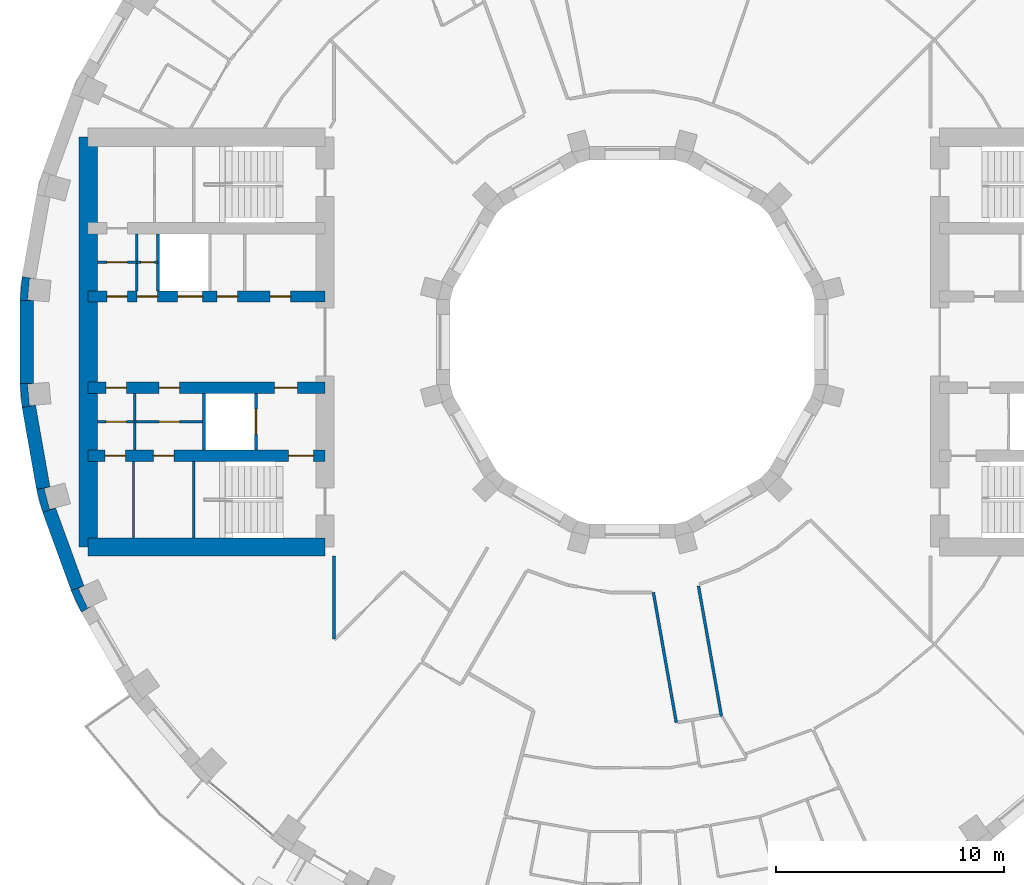
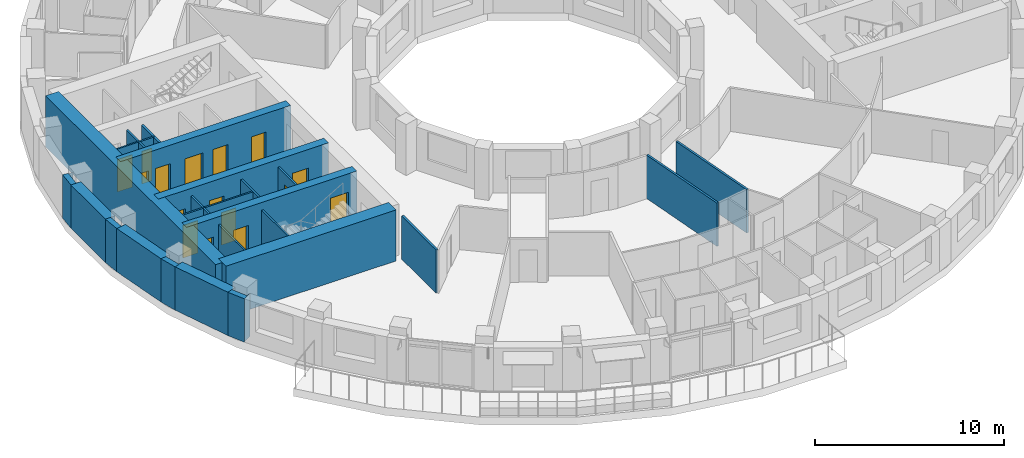
# One storey, part 5 of 14: 26 walls, 16 doors, 16 openings.
"""IFC4 building model written with IfcOpenShell, lengths in metres."""

from ifc_helpers import new_model, si_unit, direction, frame, frame_2d, origin, place, context, subcontext, project, spatial, polyline, rectangle, outline, extrude, material, layer, layer_set, type_object, element, fill, save


model = new_model("IFC4")

# Units and contexts
model_context = context("Model", 3, precision=1e-05, world=origin(), true_north=direction((0.0, 1.0)))
body_context = subcontext(model_context, "Body", "Model", "MODEL_VIEW")
ifc_project = project(units=[si_unit("LENGTHUNIT", "METRE"), si_unit("AREAUNIT", "SQUARE_METRE"), si_unit("VOLUMEUNIT", "CUBIC_METRE"), si_unit("PLANEANGLEUNIT", "RADIAN"), si_unit("MASSUNIT", "GRAM", prefix="KILO")], contexts=[model_context])

# Site, building, storey
site_placement = place(None, origin())
site = spatial("IfcSite", under=ifc_project, at=site_placement, CompositionType="ELEMENT")
building_placement = place(site_placement, origin())
building = spatial("IfcBuilding", under=site, at=building_placement, Name="Saqina Gate Tower", CompositionType="ELEMENT")
storey_placement = place(building_placement, frame((0.0, 0.0, 134.800048828125)))
storey = spatial("IfcBuildingStorey", under=building, at=storey_placement, Name="L38", CompositionType="ELEMENT", Elevation=134.800048828125)

# Walls
ifc_material_1 = material(Name="Brick masonry (buff)", Category="masonry")
wall_type_1 = type_object("IfcWallType", Name="BRICK PIER COPING BUFF", PredefinedType="SOLIDWALL", material=ifc_material_1)
wall_1_placement = place(storey_placement, origin())
element("IfcWall", 1, at=wall_1_placement, inside=storey, type_object=wall_type_1, Name="Pier cap L38 column 18", PredefinedType="SOLIDWALL", context=body_context, shape_type="SweptSolid", body=[
    extrude(outline(polyline([(-26.805419921875, 2.87451171875), (-26.897216796875, 1.823974609375), (-26.29736328125, 1.823974609375), (-26.565185546875, 1.847412109375), (-26.482421875, 2.793701171875), (-26.214599609375, 2.770263671875), (-26.805419921875, 2.87451171875)])), origin(), (0.0, 0.0, 1.0), 2.800048828125),
])
wall_2_placement = place(storey_placement, origin())
element("IfcWall", 2, at=wall_2_placement, inside=storey, type_object=wall_type_1, Name="Pier cap L38 column 19", PredefinedType="SOLIDWALL", context=body_context, shape_type="SweptSolid", body=[
    extrude(outline(polyline([(-26.805419921875, -2.87451171875), (-26.214599609375, -2.770263671875), (-26.482421875, -2.793701171875), (-26.565185546875, -1.847412109375), (-26.29736328125, -1.823974609375), (-26.897216796875, -1.823974609375), (-26.805419921875, -2.87451171875)])), origin(), (0.0, 0.0, 1.0), 2.800048828125),
])
wall_3_placement = place(storey_placement, origin())
element("IfcWall", 3, at=wall_3_placement, inside=storey, type_object=wall_type_1, Name="Pier cap L38 column 20", PredefinedType="SOLIDWALL", context=body_context, shape_type="SweptSolid", body=[
    extrude(outline(polyline([(-26.171875, -6.466796875), (-25.89892578125, -7.485595703125), (-25.335205078125, -7.2802734375), (-25.5947265625, -7.349853515625), (-25.8408203125, -6.43212890625), (-25.5810546875, -6.36279296875), (-26.171875, -6.466796875)])), origin(), (0.0, 0.0, 1.0), 2.800048828125),
])
wall_4_placement = place(storey_placement, origin())
element("IfcWall", 4, at=wall_4_placement, inside=storey, type_object=wall_type_1, Name="Pier cap L38 column 21", PredefinedType="SOLIDWALL", context=body_context, shape_type="SweptSolid", body=[
    extrude(outline(polyline([(-24.6513671875, -10.913330078125), (-24.205810546875, -11.869140625), (-23.68603515625, -11.569091796875), (-23.9296875, -11.6826171875), (-24.331298828125, -10.82177734375), (-24.08740234375, -10.7080078125), (-24.6513671875, -10.913330078125)])), origin(), (0.0, 0.0, 1.0), 2.800048828125),
])
ifc_material_2 = material(Name="Gypsum board on steel studs", Category="steel")
ifc_layer_1 = layer(ifc_material_2, 0.10009765625)
ifc_layer_set_1 = layer_set([ifc_layer_1], Name="CORE PARTITION")
wall_type_2 = type_object("IfcWallType", Name="CORE PARTITION", PredefinedType="PARTITIONING", material=ifc_layer_set_1)
for number, where, z_axis, x_axis, name in (
    (5, (-21.77099609375, 2.25, 0.0), (0.0, 0.0, 1.0), (0.0, 1.0, 0.0), "L38-CP-W04"),
    (6, (-21.8583984375, -4.75, 0.0), (0.0, 0.0, 1.0), (0.0, 1.0, 0.0), "L38-CP-W07"),
):
    element("IfcWall", number, at=place(storey_placement, frame(where, z_axis=z_axis, x_axis=x_axis)), inside=storey, type_object=wall_type_2, Name=name, PredefinedType="PARTITIONING", context=body_context, shape_type="SweptSolid", body=[
        extrude(rectangle(XDim=2.5, YDim=0.10009765625, at=frame_2d((1.25, 0.0))), origin(), (0.0, 0.0, 1.0), 2.800048828125),
    ])

# Wall, opening, door
wall_5_placement = place(storey_placement, frame((-20.840087890625, 3.5, 0.0), z_axis=(0.0, 0.0, 1.0), x_axis=(-1.0, 0.0, 0.0)))
wall_5 = element("IfcWall", 7, at=wall_5_placement, inside=storey, type_object=wall_type_2, Name="L38-CP-W08", PredefinedType="PARTITIONING", context=body_context, shape_type="SweptSolid", body=[
    extrude(rectangle(XDim=0.930908203125, YDim=0.10009765625, at=frame_2d((0.46533203125, 0.0))), origin(), (0.0, 0.0, 1.0), 2.800048828125),
])
opening_1_placement = place(wall_5_placement, frame((0.14990234375, 0.0, 0.0)))
opening_1 = element("IfcOpeningElement", 8, at=opening_1_placement, cuts=wall_5, Name="Opening G11-D116", PredefinedType="OPENING", context=body_context, shape_type="SweptSolid", body=[
    extrude(rectangle(XDim=0.60009765625, YDim=2.10009765625, at=frame_2d((0.300048828125, 1.050048828125))), frame((0.0, 0.06201171875, 0.0), z_axis=(0.0, -1.0, 0.0), x_axis=(1.0, 0.0, 0.0)), (0.0, 0.0, 1.0), 0.1240234375),
])
ifc_material_3 = material(Name="Steel-framed fire door leaf, EI 60", Category="steel")
door_type_1 = type_object("IfcDoorType", Name="SERVICE ROOM DOOR 600", OperationType="SINGLE_SWING_LEFT", PredefinedType="DOOR", material=ifc_material_3)
door_1_placement = place(opening_1_placement, origin())
door_1 = element("IfcDoor", 9, at=door_1_placement, inside=storey, type_object=door_type_1, Name="L38-CD-W27", OperationType="SINGLE_SWING_LEFT", OverallHeight=2.10009765625, OverallWidth=0.60009765625, PredefinedType="DOOR", context=body_context, shape_type="SweptSolid", body=[
    extrude(rectangle(XDim=0.60009765625, YDim=2.10009765625, at=frame_2d((0.300048828125, 1.050048828125))), frame((0.0, 0.02490234375, 0.0), z_axis=(0.0, -1.0, 0.0), x_axis=(1.0, 0.0, 0.0)), (0.0, 0.0, 1.0), 0.050048828125),
])
fill(opening_1, door_1)

wall_6_placement = place(storey_placement, frame((-21.77099609375, 3.5, 0.0), z_axis=(0.0, 0.0, 1.0), x_axis=(-1.0, 0.0, 0.0)))
wall_6 = element("IfcWall", 10, at=wall_6_placement, inside=storey, type_object=wall_type_2, Name="L38-CP-W09", PredefinedType="PARTITIONING", context=body_context, shape_type="SweptSolid", body=[
    extrude(rectangle(XDim=1.72900390625, YDim=0.10009765625, at=frame_2d((0.864501953125, 0.0))), origin(), (0.0, 0.0, 1.0), 2.800048828125),
])
opening_2_placement = place(wall_6_placement, frame((0.41455078125, 0.0, 0.0)))
opening_2 = element("IfcOpeningElement", 11, at=opening_2_placement, cuts=wall_6, Name="Opening G11-D117", PredefinedType="OPENING", context=body_context, shape_type="SweptSolid", body=[
    extrude(rectangle(XDim=0.89990234375, YDim=2.10009765625, at=frame_2d((0.449951171875, 1.050048828125))), frame((0.0, 0.06201171875, 0.0), z_axis=(0.0, -1.0, 0.0), x_axis=(1.0, 0.0, 0.0)), (0.0, 0.0, 1.0), 0.1240234375),
])
ifc_material_4 = material(Name="Steel-framed fire door leaf, EI 60", Category="steel")
door_type_2 = type_object("IfcDoorType", Name="SERVICE ROOM DOOR 900", OperationType="SINGLE_SWING_LEFT", PredefinedType="DOOR", material=ifc_material_4)
door_2_placement = place(opening_2_placement, frame((0.89990234375, 0.0, 0.0), z_axis=(0.0, 0.0, 1.0), x_axis=(-1.0, 0.0, 0.0)))
door_2 = element("IfcDoor", 12, at=door_2_placement, inside=storey, type_object=door_type_2, Name="L38-CD-W28", OperationType="SINGLE_SWING_LEFT", OverallHeight=2.10009765625, OverallWidth=0.89990234375, PredefinedType="DOOR", context=body_context, shape_type="SweptSolid", body=[
    extrude(rectangle(XDim=0.89990234375, YDim=2.10009765625, at=frame_2d((0.449951171875, 1.050048828125))), frame((0.0, 0.02490234375, 0.0), z_axis=(0.0, -1.0, 0.0), x_axis=(1.0, 0.0, 0.0)), (0.0, 0.0, 1.0), 0.050048828125),
])
fill(opening_2, door_2)

wall_7_placement = place(storey_placement, frame((-18.81005859375, -3.5, 0.0), z_axis=(0.0, 0.0, 1.0), x_axis=(-1.0, 0.0, 0.0)))
wall_7 = element("IfcWall", 13, at=wall_7_placement, inside=storey, type_object=wall_type_2, Name="L38-CP-W10", PredefinedType="PARTITIONING", context=body_context, shape_type="SweptSolid", body=[
    extrude(rectangle(XDim=3.04833984375, YDim=0.10009765625, at=frame_2d((1.524169921875, 0.0))), origin(), (0.0, 0.0, 1.0), 2.800048828125),
])
opening_3_placement = place(wall_7_placement, frame((1.07421875, 0.0, 0.0)))
opening_3 = element("IfcOpeningElement", 14, at=opening_3_placement, cuts=wall_7, Name="Opening G11-D121", PredefinedType="OPENING", context=body_context, shape_type="SweptSolid", body=[
    extrude(rectangle(XDim=0.89990234375, YDim=2.10009765625, at=frame_2d((0.449951171875, 1.050048828125))), frame((0.0, 0.06201171875, 0.0), z_axis=(0.0, -1.0, 0.0), x_axis=(1.0, 0.0, 0.0)), (0.0, 0.0, 1.0), 0.1240234375),
])
door_3_placement = place(opening_3_placement, origin())
door_3 = element("IfcDoor", 15, at=door_3_placement, inside=storey, type_object=door_type_2, Name="L38-CD-W32", OperationType="SINGLE_SWING_LEFT", OverallHeight=2.10009765625, OverallWidth=0.89990234375, PredefinedType="DOOR", context=body_context, shape_type="SweptSolid", body=[
    extrude(rectangle(XDim=0.89990234375, YDim=2.10009765625, at=frame_2d((0.449951171875, 1.050048828125))), frame((0.0, 0.02490234375, 0.0), z_axis=(0.0, -1.0, 0.0), x_axis=(1.0, 0.0, 0.0)), (0.0, 0.0, 1.0), 0.050048828125),
])
fill(opening_3, door_3)

wall_8_placement = place(storey_placement, frame((-21.8583984375, -3.5, 0.0), z_axis=(0.0, 0.0, 1.0), x_axis=(-1.0, 0.0, 0.0)))
wall_8 = element("IfcWall", 16, at=wall_8_placement, inside=storey, type_object=wall_type_2, Name="L38-CP-W11", PredefinedType="PARTITIONING", context=body_context, shape_type="SweptSolid", body=[
    extrude(rectangle(XDim=1.6416015625, YDim=0.10009765625, at=frame_2d((0.82080078125, 0.0))), origin(), (0.0, 0.0, 1.0), 2.800048828125),
])
opening_4_placement = place(wall_8_placement, frame((0.370849609375, 0.0, 0.0)))
opening_4 = element("IfcOpeningElement", 17, at=opening_4_placement, cuts=wall_8, Name="Opening G11-D120", PredefinedType="OPENING", context=body_context, shape_type="SweptSolid", body=[
    extrude(rectangle(XDim=0.89990234375, YDim=2.10009765625, at=frame_2d((0.449951171875, 1.050048828125))), frame((0.0, 0.06201171875, 0.0), z_axis=(0.0, -1.0, 0.0), x_axis=(1.0, 0.0, 0.0)), (0.0, 0.0, 1.0), 0.1240234375),
])
door_4_placement = place(opening_4_placement, origin())
door_4 = element("IfcDoor", 18, at=door_4_placement, inside=storey, type_object=door_type_2, Name="L38-CD-W31", OperationType="SINGLE_SWING_RIGHT", OverallHeight=2.10009765625, OverallWidth=0.89990234375, PredefinedType="DOOR", context=body_context, shape_type="SweptSolid", body=[
    extrude(rectangle(XDim=0.89990234375, YDim=2.10009765625, at=frame_2d((0.449951171875, 1.050048828125))), frame((0.0, 0.02490234375, 0.0), z_axis=(0.0, -1.0, 0.0), x_axis=(1.0, 0.0, 0.0)), (0.0, 0.0, 1.0), 0.050048828125),
])
fill(opening_4, door_4)

# Walls
wall_9_placement = place(storey_placement, frame((-21.91162109375, -8.60009765625, 0.0), z_axis=(0.0, 0.0, 1.0), x_axis=(0.0, 1.0, 0.0)))
element("IfcWall", 19, at=wall_9_placement, inside=storey, type_object=wall_type_2, Name="L38-CP-W15", PredefinedType="PARTITIONING", context=body_context, shape_type="SweptSolid", body=[
    extrude(rectangle(XDim=3.35009765625, YDim=0.10009765625, at=frame_2d((1.675048828125, 0.0))), origin(), (0.0, 0.0, 1.0), 2.800048828125),
])
ifc_material_5 = material(Name="Glazed ceramic tile", Category="ceramic")
ifc_layer_2 = layer(ifc_material_5, 0.60009765625)
ifc_layer_set_2 = layer_set([ifc_layer_2], Name="FW-TILE")
wall_type_3 = type_object("IfcWallType", Name="FW-TILE", PredefinedType="SOLIDWALL", material=ifc_layer_set_2)
wall_10_placement = place(storey_placement, frame((-26.510009765625, -2.822265625, 0.0), z_axis=(0.0, 0.0, 1.0), x_axis=(0.173670796382, -0.984803764455, 0.0)))
element("IfcWall", 20, at=wall_10_placement, inside=storey, type_object=wall_type_3, Name="Facade wall L38 facet 19", PredefinedType="SOLIDWALL", context=body_context, shape_type="SweptSolid", body=[
    extrude(rectangle(XDim=3.64794921875, YDim=0.60009765625, at=frame_2d((1.823974609375, 0.0))), origin(), (0.0, 0.0, 1.0), 2.800048828125),
])
ifc_material_6 = material(Name="Glazed ceramic tile (dark blue)", Category="ceramic")
ifc_layer_3 = layer(ifc_material_6, 0.60009765625)
ifc_layer_set_3 = layer_set([ifc_layer_3], Name="FW-TILE-CB")
wall_type_4 = type_object("IfcWallType", Name="FW-TILE-CB", PredefinedType="SOLIDWALL", material=ifc_layer_set_3)
wall_11_placement = place(storey_placement, frame((-25.616943359375, -7.3828125, 0.0), z_axis=(0.0, 0.0, 1.0), x_axis=(0.341990236633, -0.939703505393, 0.0)))
element("IfcWall", 21, at=wall_11_placement, inside=storey, type_object=wall_type_4, Name="Facade wall L38 facet 20", PredefinedType="SOLIDWALL", context=body_context, shape_type="SweptSolid", body=[
    extrude(rectangle(XDim=3.64794921875, YDim=0.60009765625, at=frame_2d((1.823974609375, 0.0))), origin(), (0.0, 0.0, 1.0), 2.800048828125),
])
ifc_material_7 = material(Name="Glazed ceramic tile (white)", Category="ceramic")
ifc_layer_4 = layer(ifc_material_7, 0.60009765625)
ifc_layer_set_4 = layer_set([ifc_layer_4], Name="FW-TILE-WH")
wall_type_5 = type_object("IfcWallType", Name="FW-TILE-WH", PredefinedType="SOLIDWALL", material=ifc_layer_set_4)
wall_12_placement = place(storey_placement, frame((-26.59716796875, 1.823974609375, 0.0), z_axis=(0.0, 0.0, 1.0), x_axis=(0.0, -1.0, 0.0)))
element("IfcWall", 22, at=wall_12_placement, inside=storey, type_object=wall_type_5, Name="Facade wall L38 facet 18", PredefinedType="SOLIDWALL", context=body_context, shape_type="SweptSolid", body=[
    extrude(rectangle(XDim=3.64794921875, YDim=0.60009765625, at=frame_2d((1.823974609375, 0.0))), origin(), (0.0, 0.0, 1.0), 2.800048828125),
])
ifc_material_8 = material(Name="Gypsum board on steel studs, 125 mm, fire rated", Category="steel")
ifc_layer_5 = layer(ifc_material_8, 0.125)
ifc_layer_set_5 = layer_set([ifc_layer_5], Name="PARTITION EI 30 125")
wall_type_6 = type_object("IfcWallType", Name="PARTITION EI 30 125", PredefinedType="PARTITIONING", material=ifc_layer_set_5)
wall_13_placement = place(storey_placement, frame((0.924072265625, -11.0, 0.0), z_axis=(0.0, 0.0, 1.0), x_axis=(0.173576639114, -0.98482036451, 0.0)))
element("IfcWall", 23, at=wall_13_placement, inside=storey, type_object=wall_type_6, Name="PARTITION PW1-01", PredefinedType="PARTITIONING", context=body_context, shape_type="SweptSolid", body=[
    extrude(rectangle(XDim=5.80615234375, YDim=0.125, at=frame_2d((2.903076171875, 0.0))), origin(), (0.0, 0.0, 1.0), 2.800048828125),
])
wall_14_placement = place(storey_placement, frame((2.90478515625, -10.714599609375, 0.0), z_axis=(0.0, 0.0, 1.0), x_axis=(0.173617542192, -0.984813154382, 0.0)))
element("IfcWall", 24, at=wall_14_placement, inside=storey, type_object=wall_type_6, Name="PARTITION PW1-02", PredefinedType="PARTITIONING", context=body_context, shape_type="SweptSolid", body=[
    extrude(rectangle(XDim=5.810302734375, YDim=0.125, at=frame_2d((2.9052734375, 0.0))), origin(), (0.0, 0.0, 1.0), 2.800048828125),
])
wall_15_placement = place(storey_placement, frame((-13.10009765625, -13.03662109375, 0.0), z_axis=(0.0, 0.0, 1.0), x_axis=(0.0, 1.0, 0.0)))
element("IfcWall", 25, at=wall_15_placement, inside=storey, type_object=wall_type_6, Name="PARTITION PW1-47", PredefinedType="PARTITIONING", context=body_context, shape_type="SweptSolid", body=[
    extrude(rectangle(XDim=3.63671875, YDim=0.125, at=frame_2d((1.818359375, 0.0))), origin(), (0.0, 0.0, 1.0), 2.800048828125),
])
ifc_material_9 = material(Name="Autoclaved aerated concrete block", Category="concrete")
ifc_layer_6 = layer(ifc_material_9, 0.1201171875)
ifc_layer_set_6 = layer_set([ifc_layer_6], Name="SHAFT PARTITION")
wall_type_7 = type_object("IfcWallType", Name="SHAFT PARTITION", PredefinedType="PARTITIONING", material=ifc_layer_set_6)
wall_16_placement = place(storey_placement, frame((-20.840087890625, 2.25, 0.0), z_axis=(0.0, 0.0, 1.0), x_axis=(0.0, 1.0, 0.0)))
element("IfcWall", 26, at=wall_16_placement, inside=storey, type_object=wall_type_7, Name="L38-CP-W03", PredefinedType="PARTITIONING", context=body_context, shape_type="SweptSolid", body=[
    extrude(rectangle(XDim=2.5, YDim=0.1201171875, at=frame_2d((1.25, 0.0))), origin(), (0.0, 0.0, 1.0), 2.800048828125),
])

# Wall, opening, door
wall_17_placement = place(storey_placement, frame((-16.530029296875, -4.75, 0.0), z_axis=(0.0, 0.0, 1.0), x_axis=(0.0, 1.0, 0.0)))
wall_17 = element("IfcWall", 27, at=wall_17_placement, inside=storey, type_object=wall_type_7, Name="L38-CP-W05", PredefinedType="PARTITIONING", context=body_context, shape_type="SweptSolid", body=[
    extrude(rectangle(XDim=2.5, YDim=0.1201171875, at=frame_2d((1.25, 0.0))), origin(), (0.0, 0.0, 1.0), 2.800048828125),
])
opening_5_placement = place(wall_17_placement, frame((0.699951171875, 0.0, 0.0)))
opening_5 = element("IfcOpeningElement", 28, at=opening_5_placement, cuts=wall_17, Name="Opening G11-LD4", PredefinedType="OPENING", context=body_context, shape_type="SweptSolid", body=[
    extrude(rectangle(XDim=1.10009765625, YDim=2.10009765625, at=frame_2d((0.550048828125, 1.050048828125))), frame((0.0, 0.072021484375, 0.0), z_axis=(0.0, -1.0, 0.0), x_axis=(1.0, 0.0, 0.0)), (0.0, 0.0, 1.0), 0.14404296875),
])
ifc_material_10 = material(Name="Stainless steel", Category="steel")
door_type_3 = type_object("IfcDoorType", Name="LANDING DOOR", OperationType="DOUBLE_DOOR_SLIDING", PredefinedType="DOOR", material=ifc_material_10)
door_5_placement = place(opening_5_placement, origin())
door_5 = element("IfcDoor", 29, at=door_5_placement, inside=storey, type_object=door_type_3, Name="LANDING DOOR FF2", OperationType="DOUBLE_DOOR_SLIDING", OverallHeight=2.10009765625, OverallWidth=1.10009765625, PredefinedType="DOOR", context=body_context, shape_type="SweptSolid", body=[
    extrude(rectangle(XDim=1.10009765625, YDim=2.10009765625, at=frame_2d((0.550048828125, 1.050048828125))), frame((0.0, 0.02490234375, 0.0), z_axis=(0.0, -1.0, 0.0), x_axis=(1.0, 0.0, 0.0)), (0.0, 0.0, 1.0), 0.050048828125),
])
fill(opening_5, door_5)

# Walls
wall_18_placement = place(storey_placement, frame((-18.81005859375, -4.75, 0.0), z_axis=(0.0, 0.0, 1.0), x_axis=(0.0, 1.0, 0.0)))
element("IfcWall", 30, at=wall_18_placement, inside=storey, type_object=wall_type_7, Name="L38-CP-W06", PredefinedType="PARTITIONING", context=body_context, shape_type="SweptSolid", body=[
    extrude(rectangle(XDim=2.5, YDim=0.1201171875, at=frame_2d((1.25, 0.0))), origin(), (0.0, 0.0, 1.0), 2.800048828125),
])
ifc_material_11 = material(Name="Autoclaved aerated concrete block", Category="concrete")
ifc_layer_7 = layer(ifc_material_11, 0.10009765625)
ifc_layer_set_7 = layer_set([ifc_layer_7], Name="STAIR ENCLOSURE WALL")
wall_type_8 = type_object("IfcWallType", Name="STAIR ENCLOSURE WALL", PredefinedType="PARTITIONING", material=ifc_layer_set_7)
wall_19_placement = place(storey_placement, frame((-19.27001953125, -8.60009765625, 0.0), z_axis=(0.0, 0.0, 1.0), x_axis=(0.0, 1.0, 0.0)))
element("IfcWall", 31, at=wall_19_placement, inside=storey, type_object=wall_type_8, Name="L38-CP-W14", PredefinedType="PARTITIONING", context=body_context, shape_type="SweptSolid", body=[
    extrude(rectangle(XDim=3.35009765625, YDim=0.10009765625, at=frame_2d((1.675048828125, 0.0))), origin(), (0.0, 0.0, 1.0), 2.800048828125),
])

# Wall, openings, doors
ifc_material_12 = material(Name="Concrete C70/85", Category="concrete")
ifc_layer_8 = layer(ifc_material_12, 0.5)
ifc_layer_set_8 = layer_set([ifc_layer_8], Name="Concrete C70/85")
wall_type_9 = type_object("IfcWallType", Name="STR-CORE WALL-B-I", PredefinedType="SHEAR", material=ifc_layer_set_8)
wall_20_placement = place(storey_placement, frame((-13.5, -5.0, 0.0), z_axis=(0.0, 0.0, 1.0), x_axis=(-1.0, 0.0, 0.0)))
wall_20 = element("IfcWall", 32, at=wall_20_placement, inside=storey, type_object=wall_type_9, Name="CORE WALL L38 W-X2", PredefinedType="SHEAR", context=body_context, shape_type="SweptSolid", body=[
    extrude(rectangle(XDim=10.39990234375, YDim=0.5, at=frame_2d((5.199951171875, 0.0))), origin(), (0.0, 0.0, 1.0), 3.300048828125),
])
opening_6_placement = place(wall_20_placement, frame((6.63916015625, 0.0, 0.0)))
opening_6 = element("IfcOpeningElement", 33, at=opening_6_placement, cuts=wall_20, Name="Opening G11-D122", PredefinedType="OPENING", context=body_context, shape_type="SweptSolid", body=[
    extrude(rectangle(XDim=0.89990234375, YDim=2.10009765625, at=frame_2d((0.449951171875, 1.050048828125))), frame((0.0, 0.261962890625, 0.0), z_axis=(0.0, -1.0, 0.0), x_axis=(1.0, 0.0, 0.0)), (0.0, 0.0, 1.0), 0.52392578125),
])
opening_7_placement = place(wall_20_placement, frame((8.755859375, 0.0, 0.0)))
opening_7 = element("IfcOpeningElement", 34, at=opening_7_placement, cuts=wall_20, Name="Opening G11-D123", PredefinedType="OPENING", context=body_context, shape_type="SweptSolid", body=[
    extrude(rectangle(XDim=0.89990234375, YDim=2.10009765625, at=frame_2d((0.449951171875, 1.050048828125))), frame((0.0, 0.261962890625, 0.0), z_axis=(0.0, -1.0, 0.0), x_axis=(1.0, 0.0, 0.0)), (0.0, 0.0, 1.0), 0.52392578125),
])
opening_8_placement = place(wall_20_placement, frame((0.5, 0.0, 0.0)))
opening_8 = element("IfcOpeningElement", 35, at=opening_8_placement, cuts=wall_20, Name="Opening G11-D124", PredefinedType="OPENING", context=body_context, shape_type="SweptSolid", body=[
    extrude(rectangle(XDim=1.10009765625, YDim=2.10009765625, at=frame_2d((0.550048828125, 1.050048828125))), frame((0.0, 0.261962890625, 0.0), z_axis=(0.0, -1.0, 0.0), x_axis=(1.0, 0.0, 0.0)), (0.0, 0.0, 1.0), 0.52392578125),
])
ifc_material_13 = material(Name="Steel", Category="steel")
door_type_4 = type_object("IfcDoorType", Name="FIRE LOBBY DOOR EI 60 WIDE", OperationType="SINGLE_SWING_LEFT", PredefinedType="DOOR", material=ifc_material_13)
door_6_placement = place(opening_8_placement, origin())
door_6 = element("IfcDoor", 36, at=door_6_placement, inside=storey, type_object=door_type_4, Name="L38-CD-W35", OperationType="SINGLE_SWING_LEFT", OverallHeight=2.10009765625, OverallWidth=1.10009765625, PredefinedType="DOOR", context=body_context, shape_type="SweptSolid", body=[
    extrude(rectangle(XDim=1.10009765625, YDim=2.10009765625, at=frame_2d((0.550048828125, 1.050048828125))), frame((0.0, 0.02490234375, 0.0), z_axis=(0.0, -1.0, 0.0), x_axis=(1.0, 0.0, 0.0)), (0.0, 0.0, 1.0), 0.050048828125),
])
fill(opening_8, door_6)
door_7_placement = place(opening_6_placement, origin())
door_7 = element("IfcDoor", 37, at=door_7_placement, inside=storey, type_object=door_type_2, Name="L38-CD-W33", OperationType="SINGLE_SWING_RIGHT", OverallHeight=2.10009765625, OverallWidth=0.89990234375, PredefinedType="DOOR", context=body_context, shape_type="SweptSolid", body=[
    extrude(rectangle(XDim=0.89990234375, YDim=2.10009765625, at=frame_2d((0.449951171875, 1.050048828125))), frame((0.0, 0.02490234375, 0.0), z_axis=(0.0, -1.0, 0.0), x_axis=(1.0, 0.0, 0.0)), (0.0, 0.0, 1.0), 0.050048828125),
])
fill(opening_6, door_7)
door_8_placement = place(opening_7_placement, origin())
door_8 = element("IfcDoor", 38, at=door_8_placement, inside=storey, type_object=door_type_2, Name="L38-CD-W34", OperationType="SINGLE_SWING_RIGHT", OverallHeight=2.10009765625, OverallWidth=0.89990234375, PredefinedType="DOOR", context=body_context, shape_type="SweptSolid", body=[
    extrude(rectangle(XDim=0.89990234375, YDim=2.10009765625, at=frame_2d((0.449951171875, 1.050048828125))), frame((0.0, 0.02490234375, 0.0), z_axis=(0.0, -1.0, 0.0), x_axis=(1.0, 0.0, 0.0)), (0.0, 0.0, 1.0), 0.050048828125),
])
fill(opening_7, door_8)

wall_21_placement = place(storey_placement, frame((-13.5, 2.0, 0.0), z_axis=(0.0, 0.0, 1.0), x_axis=(-1.0, 0.0, 0.0)))
wall_21 = element("IfcWall", 39, at=wall_21_placement, inside=storey, type_object=wall_type_9, Name="CORE WALL L38 W-L1", PredefinedType="SHEAR", context=body_context, shape_type="SweptSolid", body=[
    extrude(rectangle(XDim=10.39990234375, YDim=0.5, at=frame_2d((5.199951171875, 0.0))), origin(), (0.0, 0.0, 1.0), 3.300048828125),
])
opening_9_placement = place(wall_21_placement, frame((5.3701171875, 0.0, 0.0)))
opening_9 = element("IfcOpeningElement", 40, at=opening_9_placement, cuts=wall_21, Name="Opening G11-LD3", PredefinedType="OPENING", context=body_context, shape_type="SweptSolid", body=[
    extrude(rectangle(XDim=1.10009765625, YDim=2.10009765625, at=frame_2d((0.550048828125, 1.050048828125))), frame((0.0, 0.261962890625, 0.0), z_axis=(0.0, -1.0, 0.0), x_axis=(1.0, 0.0, 0.0)), (0.0, 0.0, 1.0), 0.52392578125),
])
opening_10_placement = place(wall_21_placement, frame((1.510986328125, 0.0, 0.0)))
opening_10 = element("IfcOpeningElement", 41, at=opening_10_placement, cuts=wall_21, Name="Opening G11-D109", PredefinedType="OPENING", context=body_context, shape_type="SweptSolid", body=[
    extrude(rectangle(XDim=0.89990234375, YDim=2.10009765625, at=frame_2d((0.449951171875, 1.050048828125))), frame((0.0, 0.261962890625, 0.0), z_axis=(0.0, -1.0, 0.0), x_axis=(1.0, 0.0, 0.0)), (0.0, 0.0, 1.0), 0.52392578125),
])
opening_11_placement = place(wall_21_placement, frame((3.841064453125, 0.0, 0.0)))
opening_11 = element("IfcOpeningElement", 42, at=opening_11_placement, cuts=wall_21, Name="Opening G11-D110", PredefinedType="OPENING", context=body_context, shape_type="SweptSolid", body=[
    extrude(rectangle(XDim=0.89990234375, YDim=2.10009765625, at=frame_2d((0.449951171875, 1.050048828125))), frame((0.0, 0.261962890625, 0.0), z_axis=(0.0, -1.0, 0.0), x_axis=(1.0, 0.0, 0.0)), (0.0, 0.0, 1.0), 0.52392578125),
])
opening_12_placement = place(wall_21_placement, frame((7.35546875, 0.0, 0.0)))
opening_12 = element("IfcOpeningElement", 43, at=opening_12_placement, cuts=wall_21, Name="Opening G11-D111", PredefinedType="OPENING", context=body_context, shape_type="SweptSolid", body=[
    extrude(rectangle(XDim=0.89990234375, YDim=2.10009765625, at=frame_2d((0.449951171875, 1.050048828125))), frame((0.0, 0.261962890625, 0.0), z_axis=(0.0, -1.0, 0.0), x_axis=(1.0, 0.0, 0.0)), (0.0, 0.0, 1.0), 0.52392578125),
])
opening_13_placement = place(wall_21_placement, frame((8.685546875, 0.0, 0.0)))
opening_13 = element("IfcOpeningElement", 44, at=opening_13_placement, cuts=wall_21, Name="Opening G11-D112", PredefinedType="OPENING", context=body_context, shape_type="SweptSolid", body=[
    extrude(rectangle(XDim=0.89990234375, YDim=2.10009765625, at=frame_2d((0.449951171875, 1.050048828125))), frame((0.0, 0.261962890625, 0.0), z_axis=(0.0, -1.0, 0.0), x_axis=(1.0, 0.0, 0.0)), (0.0, 0.0, 1.0), 0.52392578125),
])
door_9_placement = place(opening_9_placement, origin())
door_9 = element("IfcDoor", 45, at=door_9_placement, inside=storey, type_object=door_type_3, Name="LANDING DOOR MR2", OperationType="DOUBLE_DOOR_SLIDING", OverallHeight=2.10009765625, OverallWidth=1.10009765625, PredefinedType="DOOR", context=body_context, shape_type="SweptSolid", body=[
    extrude(rectangle(XDim=1.10009765625, YDim=2.10009765625, at=frame_2d((0.550048828125, 1.050048828125))), frame((0.0, 0.02490234375, 0.0), z_axis=(0.0, -1.0, 0.0), x_axis=(1.0, 0.0, 0.0)), (0.0, 0.0, 1.0), 0.050048828125),
])
fill(opening_9, door_9)
door_10_placement = place(opening_10_placement, frame((0.89990234375, 0.0, 0.0), z_axis=(0.0, 0.0, 1.0), x_axis=(-1.0, 0.0, 0.0)))
door_10 = element("IfcDoor", 46, at=door_10_placement, inside=storey, type_object=door_type_2, Name="L38-CD-W20", OperationType="SINGLE_SWING_RIGHT", OverallHeight=2.10009765625, OverallWidth=0.89990234375, PredefinedType="DOOR", context=body_context, shape_type="SweptSolid", body=[
    extrude(rectangle(XDim=0.89990234375, YDim=2.10009765625, at=frame_2d((0.449951171875, 1.050048828125))), frame((0.0, 0.02490234375, 0.0), z_axis=(0.0, -1.0, 0.0), x_axis=(1.0, 0.0, 0.0)), (0.0, 0.0, 1.0), 0.050048828125),
])
fill(opening_10, door_10)
door_11_placement = place(opening_11_placement, frame((0.89990234375, 0.0, 0.0), z_axis=(0.0, 0.0, 1.0), x_axis=(-1.0, 0.0, 0.0)))
door_11 = element("IfcDoor", 47, at=door_11_placement, inside=storey, type_object=door_type_2, Name="L38-CD-W21", OperationType="SINGLE_SWING_LEFT", OverallHeight=2.10009765625, OverallWidth=0.89990234375, PredefinedType="DOOR", context=body_context, shape_type="SweptSolid", body=[
    extrude(rectangle(XDim=0.89990234375, YDim=2.10009765625, at=frame_2d((0.449951171875, 1.050048828125))), frame((0.0, 0.02490234375, 0.0), z_axis=(0.0, -1.0, 0.0), x_axis=(1.0, 0.0, 0.0)), (0.0, 0.0, 1.0), 0.050048828125),
])
fill(opening_11, door_11)
door_12_placement = place(opening_12_placement, frame((0.89990234375, 0.0, 0.0), z_axis=(0.0, 0.0, 1.0), x_axis=(-1.0, 0.0, 0.0)))
door_12 = element("IfcDoor", 48, at=door_12_placement, inside=storey, type_object=door_type_2, Name="L38-CD-W22", OperationType="SINGLE_SWING_RIGHT", OverallHeight=2.10009765625, OverallWidth=0.89990234375, PredefinedType="DOOR", context=body_context, shape_type="SweptSolid", body=[
    extrude(rectangle(XDim=0.89990234375, YDim=2.10009765625, at=frame_2d((0.449951171875, 1.050048828125))), frame((0.0, 0.02490234375, 0.0), z_axis=(0.0, -1.0, 0.0), x_axis=(1.0, 0.0, 0.0)), (0.0, 0.0, 1.0), 0.050048828125),
])
fill(opening_12, door_12)
door_13_placement = place(opening_13_placement, frame((0.89990234375, 0.0, 0.0), z_axis=(0.0, 0.0, 1.0), x_axis=(-1.0, 0.0, 0.0)))
door_13 = element("IfcDoor", 49, at=door_13_placement, inside=storey, type_object=door_type_2, Name="L38-CD-W23", OperationType="SINGLE_SWING_LEFT", OverallHeight=2.10009765625, OverallWidth=0.89990234375, PredefinedType="DOOR", context=body_context, shape_type="SweptSolid", body=[
    extrude(rectangle(XDim=0.89990234375, YDim=2.10009765625, at=frame_2d((0.449951171875, 1.050048828125))), frame((0.0, 0.02490234375, 0.0), z_axis=(0.0, -1.0, 0.0), x_axis=(1.0, 0.0, 0.0)), (0.0, 0.0, 1.0), 0.050048828125),
])
fill(opening_13, door_13)

wall_22_placement = place(storey_placement, frame((-13.5, -2.0, 0.0), z_axis=(0.0, 0.0, 1.0), x_axis=(-1.0, 0.0, 0.0)))
wall_22 = element("IfcWall", 50, at=wall_22_placement, inside=storey, type_object=wall_type_9, Name="CORE WALL L38 W-L2", PredefinedType="SHEAR", context=body_context, shape_type="SweptSolid", body=[
    extrude(rectangle(XDim=10.39990234375, YDim=0.5, at=frame_2d((5.199951171875, 0.0))), origin(), (0.0, 0.0, 1.0), 3.300048828125),
])
opening_14_placement = place(wall_22_placement, frame((1.215087890625, 0.0, 0.0)))
opening_14 = element("IfcOpeningElement", 51, at=opening_14_placement, cuts=wall_22, Name="Opening G11-D113", PredefinedType="OPENING", context=body_context, shape_type="SweptSolid", body=[
    extrude(rectangle(XDim=1.0, YDim=2.10009765625, at=frame_2d((0.5, 1.050048828125))), frame((0.0, 0.261962890625, 0.0), z_axis=(0.0, -1.0, 0.0), x_axis=(1.0, 0.0, 0.0)), (0.0, 0.0, 1.0), 0.52392578125),
])
opening_15_placement = place(wall_22_placement, frame((6.38427734375, 0.0, 0.0)))
opening_15 = element("IfcOpeningElement", 52, at=opening_15_placement, cuts=wall_22, Name="Opening G11-D114", PredefinedType="OPENING", context=body_context, shape_type="SweptSolid", body=[
    extrude(rectangle(XDim=0.89990234375, YDim=2.10009765625, at=frame_2d((0.449951171875, 1.050048828125))), frame((0.0, 0.261962890625, 0.0), z_axis=(0.0, -1.0, 0.0), x_axis=(1.0, 0.0, 0.0)), (0.0, 0.0, 1.0), 0.52392578125),
])
opening_16_placement = place(wall_22_placement, frame((8.729248046875, 0.0, 0.0)))
opening_16 = element("IfcOpeningElement", 53, at=opening_16_placement, cuts=wall_22, Name="Opening G11-D115", PredefinedType="OPENING", context=body_context, shape_type="SweptSolid", body=[
    extrude(rectangle(XDim=0.89990234375, YDim=2.10009765625, at=frame_2d((0.449951171875, 1.050048828125))), frame((0.0, 0.261962890625, 0.0), z_axis=(0.0, -1.0, 0.0), x_axis=(1.0, 0.0, 0.0)), (0.0, 0.0, 1.0), 0.52392578125),
])
ifc_material_14 = material(Name="Steel", Category="steel")
door_type_5 = type_object("IfcDoorType", Name="FIRE LOBBY DOOR EI 60", OperationType="SINGLE_SWING_LEFT", PredefinedType="DOOR", material=ifc_material_14)
door_14_placement = place(opening_14_placement, frame((1.0, 0.0, 0.0), z_axis=(0.0, 0.0, 1.0), x_axis=(-1.0, 0.0, 0.0)))
door_14 = element("IfcDoor", 54, at=door_14_placement, inside=storey, type_object=door_type_5, Name="L38-CD-W24", OperationType="SINGLE_SWING_RIGHT", OverallHeight=2.10009765625, OverallWidth=1.0, PredefinedType="DOOR", context=body_context, shape_type="SweptSolid", body=[
    extrude(rectangle(XDim=1.0, YDim=2.10009765625, at=frame_2d((0.5, 1.050048828125))), frame((0.0, 0.02490234375, 0.0), z_axis=(0.0, -1.0, 0.0), x_axis=(1.0, 0.0, 0.0)), (0.0, 0.0, 1.0), 0.050048828125),
])
fill(opening_14, door_14)
door_15_placement = place(opening_15_placement, origin())
door_15 = element("IfcDoor", 55, at=door_15_placement, inside=storey, type_object=door_type_2, Name="L38-CD-W25", OperationType="SINGLE_SWING_RIGHT", OverallHeight=2.10009765625, OverallWidth=0.89990234375, PredefinedType="DOOR", context=body_context, shape_type="SweptSolid", body=[
    extrude(rectangle(XDim=0.89990234375, YDim=2.10009765625, at=frame_2d((0.449951171875, 1.050048828125))), frame((0.0, 0.02490234375, 0.0), z_axis=(0.0, -1.0, 0.0), x_axis=(1.0, 0.0, 0.0)), (0.0, 0.0, 1.0), 0.050048828125),
])
fill(opening_15, door_15)
door_16_placement = place(opening_16_placement, origin())
door_16 = element("IfcDoor", 56, at=door_16_placement, inside=storey, type_object=door_type_2, Name="L38-CD-W26", OperationType="SINGLE_SWING_RIGHT", OverallHeight=2.10009765625, OverallWidth=0.89990234375, PredefinedType="DOOR", context=body_context, shape_type="SweptSolid", body=[
    extrude(rectangle(XDim=0.89990234375, YDim=2.10009765625, at=frame_2d((0.449951171875, 1.050048828125))), frame((0.0, 0.02490234375, 0.0), z_axis=(0.0, -1.0, 0.0), x_axis=(1.0, 0.0, 0.0)), (0.0, 0.0, 1.0), 0.050048828125),
])
fill(opening_16, door_16)

# Walls
ifc_material_15 = material(Name="Concrete C70/85", Category="concrete")
ifc_layer_9 = layer(ifc_material_15, 0.800048828125)
ifc_layer_set_9 = layer_set([ifc_layer_9], Name="Concrete C70/85")
wall_type_10 = type_object("IfcWallType", Name="STR-CORE WALL-B-O", PredefinedType="SHEAR", material=ifc_layer_set_9)
wall_23_placement = place(storey_placement, frame((-23.89990234375, -9.0, 0.0), z_axis=(0.0, 0.0, 1.0), x_axis=(0.0, 1.0, 0.0)))
element("IfcWall", 57, at=wall_23_placement, inside=storey, type_object=wall_type_10, Name="CORE WALL L38 W-W2", PredefinedType="SHEAR", context=body_context, shape_type="SweptSolid", body=[
    extrude(rectangle(XDim=18.0, YDim=0.800048828125, at=frame_2d((9.0, 0.0))), origin(), (0.0, 0.0, 1.0), 3.300048828125),
])
wall_24_placement = place(storey_placement, frame((-13.5, -9.0, 0.0), z_axis=(0.0, 0.0, 1.0), x_axis=(-1.0, 0.0, 0.0)))
element("IfcWall", 58, at=wall_24_placement, inside=storey, type_object=wall_type_10, Name="CORE WALL L38 W-SE", PredefinedType="SHEAR", context=body_context, shape_type="SweptSolid", body=[
    extrude(rectangle(XDim=10.39990234375, YDim=0.800048828125, at=frame_2d((5.199951171875, 0.0))), origin(), (0.0, 0.0, 1.0), 3.300048828125),
])

save(model, "model.ifc")
